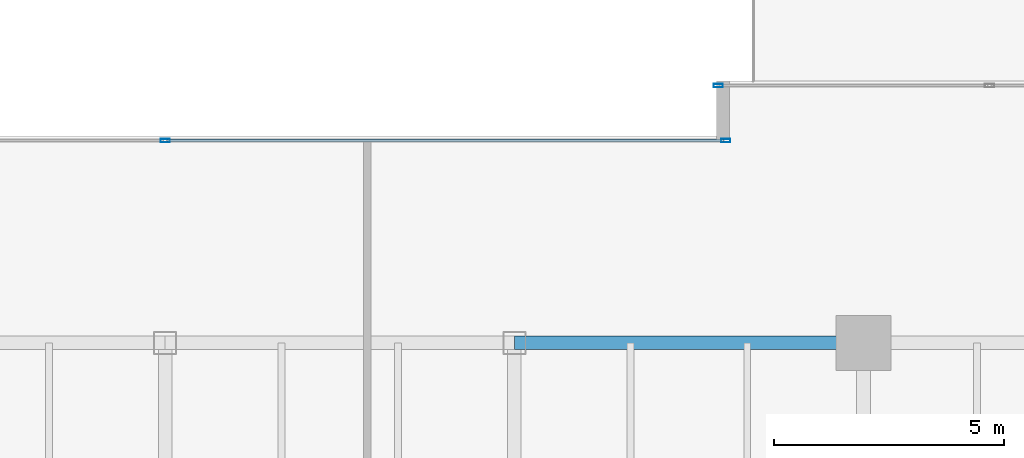
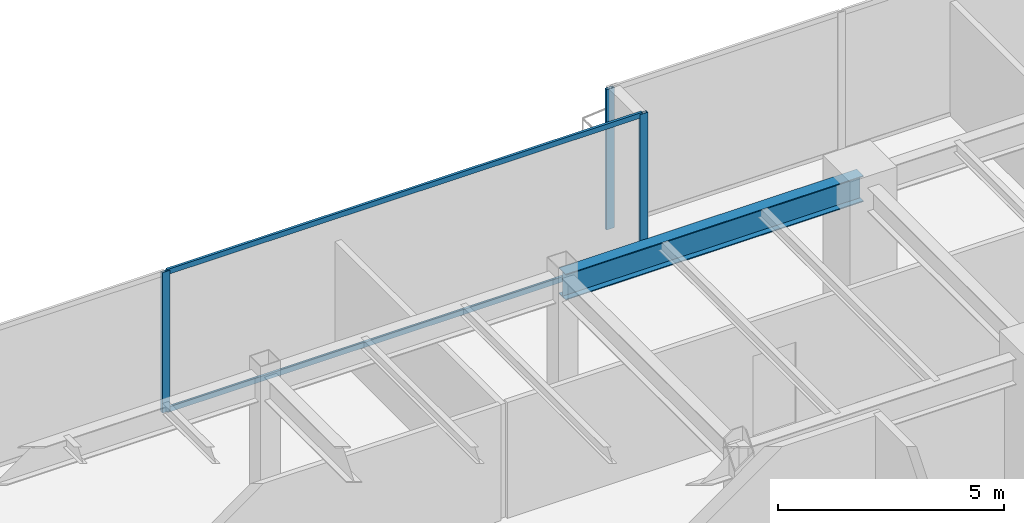
# One storey, part 16 of 30: 5 members, 1 beam, 2 elements without a shape of their own.
"""IFC4 building model written with IfcOpenShell, lengths in metres."""

from ifc_helpers import new_model, si_unit, direction, frame, origin, origin_2d, place, context, subcontext, project, spatial, hollow_rectangle, i_section, extrude, source, transform, mapped, material, layer, layer_set, material_profile, profile_set, type_object, type_shapes, element, aggregate, save


model = new_model("IFC4")

# Units and contexts
model_context = context("Model", 3, precision=1e-05, world=origin(), true_north=direction((0.0, 1.0)))
body_context = subcontext(model_context, "Body", "Model", "MODEL_VIEW")
ifc_project = project(units=[si_unit("LENGTHUNIT", "METRE"), si_unit("AREAUNIT", "SQUARE_METRE"), si_unit("VOLUMEUNIT", "CUBIC_METRE"), si_unit("PLANEANGLEUNIT", "RADIAN"), si_unit("MASSUNIT", "GRAM", prefix="KILO")], contexts=[model_context])

# Site, building, storey
site_placement = place(None, origin())
site = spatial("IfcSite", under=ifc_project, at=site_placement, CompositionType="ELEMENT")
building_placement = place(site_placement, origin())
building = spatial("IfcBuilding", under=site, at=building_placement, Name="Haelvirn Gate Laboratories", CompositionType="ELEMENT")
storey_placement = place(building_placement, frame((0.0, 0.0, 113.300048828125)))
storey = spatial("IfcBuildingStorey", under=building, at=storey_placement, Name="L27", CompositionType="ELEMENT", Elevation=113.300048828125)

# Beam
ifc_material_1 = material(Name="Steel SM355", Category="steel")
ifc_material_profile_1 = material_profile(ifc_material_1, i_section(OverallWidth=0.300048828125, OverallDepth=0.699951171875, WebThickness=0.012939453125, FlangeThickness=0.02392578125, at=origin_2d()), Name="H-700x300x13x24")
ifc_profile_set_1 = profile_set([ifc_material_profile_1], Name="Steel SM355")
beam_type = type_object("IfcBeamType", Name="BM-G-700", PredefinedType="BEAM", material=ifc_profile_set_1)
shared_shape_1 = source(origin(), body_context, "Body", "SweptSolid", [
    extrude(i_section(OverallWidth=0.300048828125, OverallDepth=0.699951171875, WebThickness=0.012939453125, FlangeThickness=0.02392578125, at=origin_2d()), origin(), (0.0, 0.0, 1.0), 7.60009765625),
])
type_shapes(beam_type, [shared_shape_1])
beam_placement = place(storey_placement, frame((45.0, 41.60009765625, 3.43994140625), z_axis=(1.0, 0.0, 0.0), x_axis=(0.0, 1.0, 0.0)))
element("IfcBeam", 1, at=beam_placement, inside=storey, type_object=beam_type, Name="L27 Primary Girder Y41.6 (45.0-52.6)", PredefinedType="BEAM", context=body_context, shape_type="MappedRepresentation", body=[
    mapped(shared_shape_1, transform((0.0, 0.0, 0.0), scale=1.0)),
])

# Curtain wall, members
ifc_material_2 = material(Name="Anodised bronze unitised aluminium & triple low-E glass", Category="aluminium")
ifc_layer = layer(ifc_material_2, 0.179931640625, Name="CW-SYS-3")
ifc_layer_set = layer_set([ifc_layer], Name="Anodised bronze unitised aluminium & triple low-E glass")
curtain_wall_type = type_object("IfcCurtainWallType", Name="CW-SYS-3", PredefinedType="NOTDEFINED", material=ifc_layer_set)
curtain_wall_1_placement = place(storey_placement, origin())
curtain_wall_1 = element("IfcCurtainWall", 2, at=curtain_wall_1_placement, inside=storey, type_object=curtain_wall_type, Name="L27 Unitised Curtain Wall CW-L27-P0-E12-1", PredefinedType="NOTDEFINED")
ifc_material_3 = material(Name="Extruded aluminium 6063-T6 (anodised bronze)", Category="aluminium")
ifc_material_profile_2 = material_profile(ifc_material_3, hollow_rectangle(XDim=0.06494140625, YDim=0.139892578125, WallThickness=0.00390625, at=origin_2d()), Name="CWT-140x65x4")
ifc_profile_set_2 = profile_set([ifc_material_profile_2], Name="Extruded aluminium 6063-T6 (anodised bronze)")
member_type_1 = type_object("IfcMemberType", Name="CWT-T140", PredefinedType="USERDEFINED", material=ifc_profile_set_2)
shared_shape_2 = source(origin(), body_context, "Body", "SweptSolid", [
    extrude(hollow_rectangle(XDim=0.06494140625, YDim=0.139892578125, WallThickness=0.00390625, at=origin_2d()), origin(), (0.0, 0.0, 1.0), 12.12744140625),
])
type_shapes(member_type_1, [shared_shape_2])
member_1_placement = place(storey_placement, frame((37.4375, 46.0, 0.032470703125), z_axis=(1.0, 0.0, 0.0), x_axis=(0.0, 1.0, 0.0)))
member_1 = element("IfcMember", 3, at=member_1_placement, type_object=member_type_1, Name="CW3 transom 2.1", ObjectType="TRANSOM", PredefinedType="USERDEFINED", context=body_context, shape_type="MappedRepresentation", body=[
    mapped(shared_shape_2, transform((0.0, 0.0, 0.0), scale=1.0)),
])
member_2_placement = place(storey_placement, frame((37.4375, 46.0, 3.757568359375), z_axis=(1.0, 0.0, 0.0), x_axis=(0.0, 1.0, 0.0)))
member_2 = element("IfcMember", 4, at=member_2_placement, type_object=member_type_1, Name="CW3 transom 2.2", ObjectType="TRANSOM", PredefinedType="USERDEFINED", context=body_context, shape_type="MappedRepresentation", body=[
    mapped(shared_shape_2, transform((0.0, 0.0, 0.0), scale=1.0)),
])

# Curtain wall, member
curtain_wall_2_placement = place(storey_placement, origin())
curtain_wall_2 = element("IfcCurtainWall", 5, at=curtain_wall_2_placement, inside=storey, type_object=curtain_wall_type, Name="L27 Unitised Curtain Wall CW-L27-P0-E10-1", PredefinedType="NOTDEFINED")
ifc_material_profile_3 = material_profile(ifc_material_3, hollow_rectangle(XDim=0.074951171875, YDim=0.199951171875, WallThickness=0.0048828125, at=origin_2d()), Name="CWM-200x75x5")
ifc_profile_set_3 = profile_set([ifc_material_profile_3], Name="Extruded aluminium 6063-T6 (anodised bronze)")
member_type_2 = type_object("IfcMemberType", Name="CWM-T200", PredefinedType="MULLION", material=ifc_profile_set_3)
shared_shape_3 = source(origin(), body_context, "Body", "SweptSolid", [
    extrude(hollow_rectangle(XDim=0.074951171875, YDim=0.199951171875, WallThickness=0.0048828125, at=origin_2d()), origin(), (0.0, 0.0, 1.0), 3.7900390625),
])
type_shapes(member_type_2, [shared_shape_3])
member_3_placement = place(storey_placement, frame((49.4375, 47.199951171875, 0.0), z_axis=(0.0, 0.0, 1.0), x_axis=(0.0, 1.0, 0.0)))
member_3 = element("IfcMember", 6, at=member_3_placement, type_object=member_type_2, Name="CW3 mullion 1", PredefinedType="MULLION", context=body_context, shape_type="MappedRepresentation", body=[
    mapped(shared_shape_3, transform((0.0, 0.0, 0.0), scale=1.0)),
])
aggregate(curtain_wall_2, [member_3])

# Member
member_4_placement = place(storey_placement, frame((37.39990234375, 46.0, 0.0), z_axis=(0.0, 0.0, 1.0), x_axis=(0.0, 1.0, 0.0)))
member_4 = element("IfcMember", 7, at=member_4_placement, type_object=member_type_2, Name="CW3 mullion 2", PredefinedType="MULLION", context=body_context, shape_type="MappedRepresentation", body=[
    mapped(shared_shape_3, transform((0.0, 0.0, 0.0), scale=1.0)),
])

member_5_placement = place(storey_placement, frame((49.6025390625, 46.0, 0.0), z_axis=(0.0, 0.0, 1.0), x_axis=(0.0, 1.0, 0.0)))
member_5 = element("IfcMember", 8, at=member_5_placement, type_object=member_type_2, Name="CW3 mullion 3", PredefinedType="MULLION", context=body_context, shape_type="MappedRepresentation", body=[
    mapped(shared_shape_3, transform((0.0, 0.0, 0.0), scale=1.0)),
])

aggregate(curtain_wall_1, [member_4, member_5, member_1, member_2])

save(model, "model.ifc")
